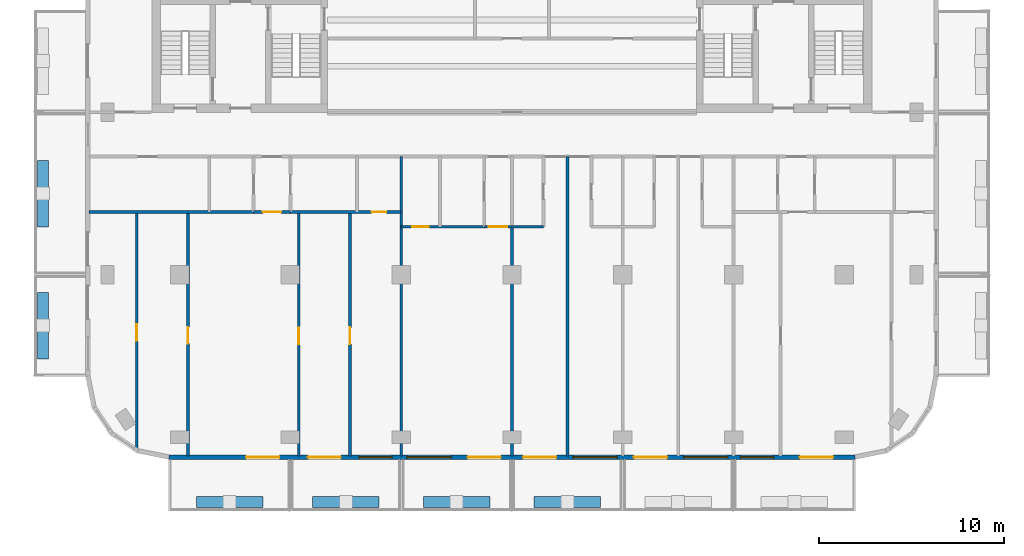
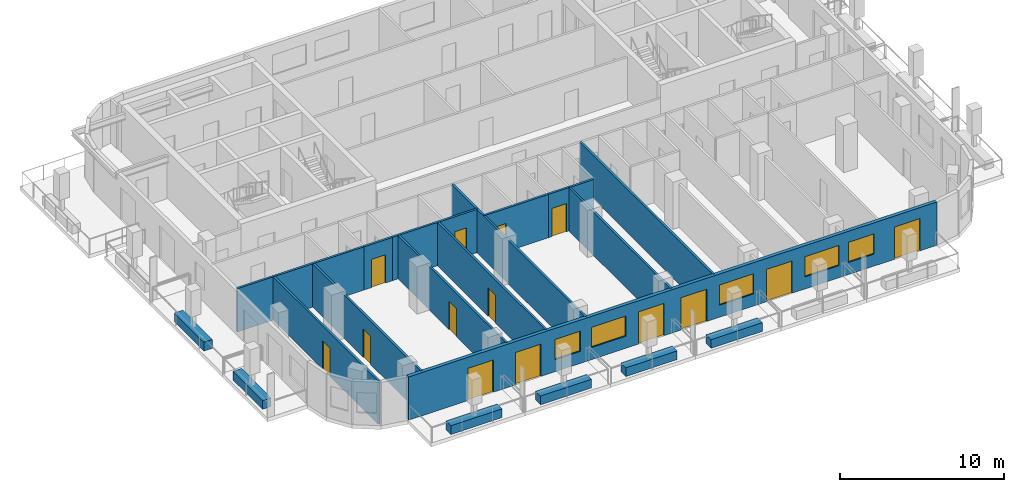
# One storey, part 2 of 11: 20 walls, 14 doors, 5 windows, 19 openings.
"""IFC4 building model written with IfcOpenShell, lengths in metres."""

from ifc_helpers import new_model, si_unit, direction, frame, frame_2d, origin, place, context, subcontext, project, spatial, rectangle, extrude, material, layer, layer_set, type_object, element, fill, save


model = new_model("IFC4")

# Units and contexts
model_context = context("Model", 3, precision=1e-05, world=origin(), true_north=direction((0.0, 1.0)))
body_context = subcontext(model_context, "Body", "Model", "MODEL_VIEW")
ifc_project = project(units=[si_unit("LENGTHUNIT", "METRE"), si_unit("AREAUNIT", "SQUARE_METRE"), si_unit("VOLUMEUNIT", "CUBIC_METRE"), si_unit("PLANEANGLEUNIT", "RADIAN"), si_unit("MASSUNIT", "GRAM", prefix="KILO")], contexts=[model_context])

# Site, building, storey
site_placement = place(None, origin())
site = spatial("IfcSite", under=ifc_project, at=site_placement, CompositionType="ELEMENT")
building_placement = place(site_placement, origin())
building = spatial("IfcBuilding", under=site, at=building_placement, Name="Torana Hotel and Residences", CompositionType="ELEMENT")
storey_placement = place(building_placement, frame((0.0, 0.0, 280.60009765625)))
storey = spatial("IfcBuildingStorey", under=building, at=storey_placement, Name="L74", CompositionType="ELEMENT", Elevation=280.60009765625)

# Wall, openings, doors, windows
ifc_material_1 = material(Name="Black aluminium composite panel", Category="aluminium")
ifc_layer_1 = layer(ifc_material_1, 0.00390625, Name="Cladding", Category="cladding")
ifc_material_2 = material(Name="Ventilated air cavity")
ifc_layer_2 = layer(ifc_material_2, 0.0400390625, Name="Ventilated cavity", Category="cavity")
ifc_material_3 = material(Name="Mineral wool insulation")
ifc_layer_3 = layer(ifc_material_3, 0.090087890625, Name="Insulation", Category="insulation")
ifc_material_4 = material(Name="Steel S280GD", Category="steel")
ifc_layer_4 = layer(ifc_material_4, 0.092041015625, Name="Steel stud frame", Category="structure")
ifc_material_5 = material(Name="Fire rated plasterboard")
ifc_layer_5 = layer(ifc_material_5, 0.011962890625, Name="Inner board", Category="finish")
ifc_layer_6 = layer(ifc_material_5, 0.011962890625, Name="Second board", Category="finish")
ifc_layer_set_1 = layer_set([ifc_layer_1, ifc_layer_2, ifc_layer_3, ifc_layer_4, ifc_layer_5, ifc_layer_6], Name="EW1 EXTERNAL WALL BLACK METAL CLAD 250")
wall_type_1 = type_object("IfcWallType", Name="EW1 EXTERNAL WALL BLACK METAL CLAD 250", PredefinedType="SOLIDWALL", material=ifc_layer_set_1)
wall_1_placement = place(storey_placement, frame((-18.575439453125, -33.675048828125, 0.0), z_axis=(0.0, 0.0, 1.0), x_axis=(1.0, 0.0, 0.0)))
wall_1 = element("IfcWall", 1, at=wall_1_placement, inside=storey, type_object=wall_type_1, Name="External wall L74 e0.14", PredefinedType="SOLIDWALL", context=body_context, shape_type="SweptSolid", body=[
    extrude(rectangle(XDim=37.15087890625, YDim=0.25, at=frame_2d((18.575439453125, 0.0))), origin(), (0.0, 0.0, 1.0), 3.219970703125),
])
opening_1_placement = place(wall_1_placement, frame((4.17529296875, 0.0, 0.0)))
opening_1 = element("IfcOpeningElement", 2, at=opening_1_placement, cuts=wall_1, Name="Opening L74-E01", PredefinedType="OPENING", context=body_context, shape_type="SweptSolid", body=[
    extrude(rectangle(XDim=1.800048828125, YDim=2.39990234375, at=frame_2d((0.89990234375, 1.199951171875))), frame((0.0, 0.135009765625, 0.0), z_axis=(0.0, -1.0, 0.0), x_axis=(1.0, 0.0, 0.0)), (0.0, 0.0, 1.0), 0.27001953125),
])
opening_2_placement = place(wall_1_placement, frame((7.512451171875, 0.0, 0.0)))
opening_2 = element("IfcOpeningElement", 3, at=opening_2_placement, cuts=wall_1, Name="Opening L74-E02", PredefinedType="OPENING", context=body_context, shape_type="SweptSolid", body=[
    extrude(rectangle(XDim=1.800048828125, YDim=2.39990234375, at=frame_2d((0.89990234375, 1.199951171875))), frame((0.0, 0.135009765625, 0.0), z_axis=(0.0, -1.0, 0.0), x_axis=(1.0, 0.0, 0.0)), (0.0, 0.0, 1.0), 0.27001953125),
])
opening_3_placement = place(wall_1_placement, frame((10.287353515625, 0.0, 0.89990234375)))
opening_3 = element("IfcOpeningElement", 4, at=opening_3_placement, cuts=wall_1, Name="Opening W4", PredefinedType="OPENING", context=body_context, shape_type="SweptSolid", body=[
    extrude(rectangle(XDim=1.800048828125, YDim=1.5, at=frame_2d((0.89990234375, 0.75))), frame((0.0, 0.135009765625, 0.0), z_axis=(0.0, -1.0, 0.0), x_axis=(1.0, 0.0, 0.0)), (0.0, 0.0, 1.0), 0.27001953125),
])
opening_4_placement = place(wall_1_placement, frame((12.87548828125, 0.0, 0.89990234375)))
opening_4 = element("IfcOpeningElement", 5, at=opening_4_placement, cuts=wall_1, Name="Opening W3", PredefinedType="OPENING", context=body_context, shape_type="SweptSolid", body=[
    extrude(rectangle(XDim=2.39990234375, YDim=1.5, at=frame_2d((1.199951171875, 0.75))), frame((0.0, 0.135009765625, 0.0), z_axis=(0.0, -1.0, 0.0), x_axis=(1.0, 0.0, 0.0)), (0.0, 0.0, 1.0), 0.27001953125),
])
opening_5_placement = place(wall_1_placement, frame((16.17529296875, 0.0, 0.0)))
opening_5 = element("IfcOpeningElement", 6, at=opening_5_placement, cuts=wall_1, Name="Opening L74-E03", PredefinedType="OPENING", context=body_context, shape_type="SweptSolid", body=[
    extrude(rectangle(XDim=1.800048828125, YDim=2.39990234375, at=frame_2d((0.89990234375, 1.199951171875))), frame((0.0, 0.135009765625, 0.0), z_axis=(0.0, -1.0, 0.0), x_axis=(1.0, 0.0, 0.0)), (0.0, 0.0, 1.0), 0.27001953125),
])
opening_6_placement = place(wall_1_placement, frame((19.17529296875, 0.0, 0.0)))
opening_6 = element("IfcOpeningElement", 7, at=opening_6_placement, cuts=wall_1, Name="Opening L74-E04", PredefinedType="OPENING", context=body_context, shape_type="SweptSolid", body=[
    extrude(rectangle(XDim=1.800048828125, YDim=2.39990234375, at=frame_2d((0.89990234375, 1.199951171875))), frame((0.0, 0.135009765625, 0.0), z_axis=(0.0, -1.0, 0.0), x_axis=(1.0, 0.0, 0.0)), (0.0, 0.0, 1.0), 0.27001953125),
])
opening_7_placement = place(wall_1_placement, frame((21.87548828125, 0.0, 0.89990234375)))
opening_7 = element("IfcOpeningElement", 8, at=opening_7_placement, cuts=wall_1, Name="Opening W3", PredefinedType="OPENING", context=body_context, shape_type="SweptSolid", body=[
    extrude(rectangle(XDim=2.39990234375, YDim=1.5, at=frame_2d((1.199951171875, 0.75))), frame((0.0, 0.135009765625, 0.0), z_axis=(0.0, -1.0, 0.0), x_axis=(1.0, 0.0, 0.0)), (0.0, 0.0, 1.0), 0.27001953125),
])
opening_8_placement = place(wall_1_placement, frame((25.17529296875, 0.0, 0.0)))
opening_8 = element("IfcOpeningElement", 9, at=opening_8_placement, cuts=wall_1, Name="Opening L74-E05", PredefinedType="OPENING", context=body_context, shape_type="SweptSolid", body=[
    extrude(rectangle(XDim=1.800048828125, YDim=2.39990234375, at=frame_2d((0.89990234375, 1.199951171875))), frame((0.0, 0.135009765625, 0.0), z_axis=(0.0, -1.0, 0.0), x_axis=(1.0, 0.0, 0.0)), (0.0, 0.0, 1.0), 0.27001953125),
])
opening_9_placement = place(wall_1_placement, frame((27.87548828125, 0.0, 0.89990234375)))
opening_9 = element("IfcOpeningElement", 10, at=opening_9_placement, cuts=wall_1, Name="Opening W3", PredefinedType="OPENING", context=body_context, shape_type="SweptSolid", body=[
    extrude(rectangle(XDim=2.39990234375, YDim=1.5, at=frame_2d((1.199951171875, 0.75))), frame((0.0, 0.135009765625, 0.0), z_axis=(0.0, -1.0, 0.0), x_axis=(1.0, 0.0, 0.0)), (0.0, 0.0, 1.0), 0.27001953125),
])
opening_10_placement = place(wall_1_placement, frame((30.950439453125, 0.0, 0.89990234375)))
opening_10 = element("IfcOpeningElement", 11, at=opening_10_placement, cuts=wall_1, Name="Opening W4", PredefinedType="OPENING", context=body_context, shape_type="SweptSolid", body=[
    extrude(rectangle(XDim=1.800048828125, YDim=1.5, at=frame_2d((0.89990234375, 0.75))), frame((0.0, 0.135009765625, 0.0), z_axis=(0.0, -1.0, 0.0), x_axis=(1.0, 0.0, 0.0)), (0.0, 0.0, 1.0), 0.27001953125),
])
opening_11_placement = place(wall_1_placement, frame((34.17529296875, 0.0, 0.0)))
opening_11 = element("IfcOpeningElement", 12, at=opening_11_placement, cuts=wall_1, Name="Opening L74-E06", PredefinedType="OPENING", context=body_context, shape_type="SweptSolid", body=[
    extrude(rectangle(XDim=1.800048828125, YDim=2.39990234375, at=frame_2d((0.89990234375, 1.199951171875))), frame((0.0, 0.135009765625, 0.0), z_axis=(0.0, -1.0, 0.0), x_axis=(1.0, 0.0, 0.0)), (0.0, 0.0, 1.0), 0.27001953125),
])
ifc_material_6 = material(Name="Dark glass in black aluminium frame", Category="aluminium")
door_type_1 = type_object("IfcDoorType", Name="DB1 BALCONY DOOR 1800x2400", OperationType="DOUBLE_DOOR_SINGLE_SWING", PredefinedType="DOOR", material=ifc_material_6)
door_1_placement = place(opening_1_placement, origin())
door_1 = element("IfcDoor", 13, at=door_1_placement, inside=storey, type_object=door_type_1, Name="Balcony door L74", OperationType="DOUBLE_DOOR_SINGLE_SWING", OverallHeight=2.39990234375, OverallWidth=1.800048828125, PredefinedType="DOOR", context=body_context, shape_type="SweptSolid", body=[
    extrude(rectangle(XDim=1.800048828125, YDim=2.39990234375, at=frame_2d((0.89990234375, 1.199951171875))), frame((0.0, 0.02490234375, 0.0), z_axis=(0.0, -1.0, 0.0), x_axis=(1.0, 0.0, 0.0)), (0.0, 0.0, 1.0), 0.050048828125),
])
fill(opening_1, door_1)
door_2_placement = place(opening_2_placement, origin())
door_2 = element("IfcDoor", 14, at=door_2_placement, inside=storey, type_object=door_type_1, Name="Balcony door L74", OperationType="DOUBLE_DOOR_SINGLE_SWING", OverallHeight=2.39990234375, OverallWidth=1.800048828125, PredefinedType="DOOR", context=body_context, shape_type="SweptSolid", body=[
    extrude(rectangle(XDim=1.800048828125, YDim=2.39990234375, at=frame_2d((0.89990234375, 1.199951171875))), frame((0.0, 0.02490234375, 0.0), z_axis=(0.0, -1.0, 0.0), x_axis=(1.0, 0.0, 0.0)), (0.0, 0.0, 1.0), 0.050048828125),
])
fill(opening_2, door_2)
door_3_placement = place(opening_5_placement, origin())
door_3 = element("IfcDoor", 15, at=door_3_placement, inside=storey, type_object=door_type_1, Name="Balcony door L74", OperationType="DOUBLE_DOOR_SINGLE_SWING", OverallHeight=2.39990234375, OverallWidth=1.800048828125, PredefinedType="DOOR", context=body_context, shape_type="SweptSolid", body=[
    extrude(rectangle(XDim=1.800048828125, YDim=2.39990234375, at=frame_2d((0.89990234375, 1.199951171875))), frame((0.0, 0.02490234375, 0.0), z_axis=(0.0, -1.0, 0.0), x_axis=(1.0, 0.0, 0.0)), (0.0, 0.0, 1.0), 0.050048828125),
])
fill(opening_5, door_3)
door_4_placement = place(opening_6_placement, origin())
door_4 = element("IfcDoor", 16, at=door_4_placement, inside=storey, type_object=door_type_1, Name="Balcony door L74", OperationType="DOUBLE_DOOR_SINGLE_SWING", OverallHeight=2.39990234375, OverallWidth=1.800048828125, PredefinedType="DOOR", context=body_context, shape_type="SweptSolid", body=[
    extrude(rectangle(XDim=1.800048828125, YDim=2.39990234375, at=frame_2d((0.89990234375, 1.199951171875))), frame((0.0, 0.02490234375, 0.0), z_axis=(0.0, -1.0, 0.0), x_axis=(1.0, 0.0, 0.0)), (0.0, 0.0, 1.0), 0.050048828125),
])
fill(opening_6, door_4)
door_5_placement = place(opening_8_placement, origin())
door_5 = element("IfcDoor", 17, at=door_5_placement, inside=storey, type_object=door_type_1, Name="Balcony door L74", OperationType="DOUBLE_DOOR_SINGLE_SWING", OverallHeight=2.39990234375, OverallWidth=1.800048828125, PredefinedType="DOOR", context=body_context, shape_type="SweptSolid", body=[
    extrude(rectangle(XDim=1.800048828125, YDim=2.39990234375, at=frame_2d((0.89990234375, 1.199951171875))), frame((0.0, 0.02490234375, 0.0), z_axis=(0.0, -1.0, 0.0), x_axis=(1.0, 0.0, 0.0)), (0.0, 0.0, 1.0), 0.050048828125),
])
fill(opening_8, door_5)
door_6_placement = place(opening_11_placement, origin())
door_6 = element("IfcDoor", 18, at=door_6_placement, inside=storey, type_object=door_type_1, Name="Balcony door L74", OperationType="DOUBLE_DOOR_SINGLE_SWING", OverallHeight=2.39990234375, OverallWidth=1.800048828125, PredefinedType="DOOR", context=body_context, shape_type="SweptSolid", body=[
    extrude(rectangle(XDim=1.800048828125, YDim=2.39990234375, at=frame_2d((0.89990234375, 1.199951171875))), frame((0.0, 0.02490234375, 0.0), z_axis=(0.0, -1.0, 0.0), x_axis=(1.0, 0.0, 0.0)), (0.0, 0.0, 1.0), 0.050048828125),
])
fill(opening_11, door_6)
ifc_material_7 = material(Name="Dark glass in black aluminium frame", Category="aluminium")
window_type_1 = type_object("IfcWindowType", Name="W3 RESIDENCE WINDOW 2400x1500", PartitioningType="SINGLE_PANEL", PredefinedType="WINDOW", material=ifc_material_7)
window_1_placement = place(opening_4_placement, origin())
window_1 = element("IfcWindow", 19, at=window_1_placement, inside=storey, type_object=window_type_1, Name="Window L74", OverallHeight=1.5, OverallWidth=2.39990234375, PartitioningType="SINGLE_PANEL", PredefinedType="WINDOW", context=body_context, shape_type="SweptSolid", body=[
    extrude(rectangle(XDim=2.39990234375, YDim=1.5, at=frame_2d((1.199951171875, 0.75))), frame((0.0, 0.030029296875, 0.0), z_axis=(0.0, -1.0, 0.0), x_axis=(1.0, 0.0, 0.0)), (0.0, 0.0, 1.0), 0.06005859375),
])
fill(opening_4, window_1)
window_2_placement = place(opening_7_placement, origin())
window_2 = element("IfcWindow", 20, at=window_2_placement, inside=storey, type_object=window_type_1, Name="Window L74", OverallHeight=1.5, OverallWidth=2.39990234375, PartitioningType="SINGLE_PANEL", PredefinedType="WINDOW", context=body_context, shape_type="SweptSolid", body=[
    extrude(rectangle(XDim=2.39990234375, YDim=1.5, at=frame_2d((1.199951171875, 0.75))), frame((0.0, 0.030029296875, 0.0), z_axis=(0.0, -1.0, 0.0), x_axis=(1.0, 0.0, 0.0)), (0.0, 0.0, 1.0), 0.06005859375),
])
fill(opening_7, window_2)
window_3_placement = place(opening_9_placement, origin())
window_3 = element("IfcWindow", 21, at=window_3_placement, inside=storey, type_object=window_type_1, Name="Window L74", OverallHeight=1.5, OverallWidth=2.39990234375, PartitioningType="SINGLE_PANEL", PredefinedType="WINDOW", context=body_context, shape_type="SweptSolid", body=[
    extrude(rectangle(XDim=2.39990234375, YDim=1.5, at=frame_2d((1.199951171875, 0.75))), frame((0.0, 0.030029296875, 0.0), z_axis=(0.0, -1.0, 0.0), x_axis=(1.0, 0.0, 0.0)), (0.0, 0.0, 1.0), 0.06005859375),
])
fill(opening_9, window_3)
ifc_material_8 = material(Name="Dark glass in black aluminium frame", Category="aluminium")
window_type_2 = type_object("IfcWindowType", Name="W4 RESIDENCE WINDOW NARROW 1800x1500", PartitioningType="SINGLE_PANEL", PredefinedType="WINDOW", material=ifc_material_8)
window_4_placement = place(opening_3_placement, origin())
window_4 = element("IfcWindow", 22, at=window_4_placement, inside=storey, type_object=window_type_2, Name="Window L74", OverallHeight=1.5, OverallWidth=1.800048828125, PartitioningType="SINGLE_PANEL", PredefinedType="WINDOW", context=body_context, shape_type="SweptSolid", body=[
    extrude(rectangle(XDim=1.800048828125, YDim=1.5, at=frame_2d((0.89990234375, 0.75))), frame((0.0, 0.030029296875, 0.0), z_axis=(0.0, -1.0, 0.0), x_axis=(1.0, 0.0, 0.0)), (0.0, 0.0, 1.0), 0.06005859375),
])
fill(opening_3, window_4)
window_5_placement = place(opening_10_placement, origin())
window_5 = element("IfcWindow", 23, at=window_5_placement, inside=storey, type_object=window_type_2, Name="Window L74", OverallHeight=1.5, OverallWidth=1.800048828125, PartitioningType="SINGLE_PANEL", PredefinedType="WINDOW", context=body_context, shape_type="SweptSolid", body=[
    extrude(rectangle(XDim=1.800048828125, YDim=1.5, at=frame_2d((0.89990234375, 0.75))), frame((0.0, 0.030029296875, 0.0), z_axis=(0.0, -1.0, 0.0), x_axis=(1.0, 0.0, 0.0)), (0.0, 0.0, 1.0), 0.06005859375),
])
fill(opening_10, window_5)

# Wall, opening, door
ifc_material_9 = material(Name="Gypsum plaster")
ifc_layer_7 = layer(ifc_material_9, 0.014892578125, Name="Plaster", Category="finish")
ifc_material_10 = material(Name="Concrete blockwork", Category="masonry")
ifc_layer_8 = layer(ifc_material_10, 0.1201171875, Name="Blockwork", Category="structure")
ifc_layer_9 = layer(ifc_material_9, 0.014892578125, Name="Plaster", Category="finish")
ifc_layer_set_2 = layer_set([ifc_layer_7, ifc_layer_8, ifc_layer_9], Name="FIRE PARTITION 150 BLOCKWORK")
wall_type_2 = type_object("IfcWallType", Name="FIRE PARTITION 150 BLOCKWORK", PredefinedType="PARTITIONING", material=ifc_layer_set_2)
wall_2_placement = place(storey_placement, frame((-1.5, -21.199951171875, 0.0), z_axis=(0.0, 0.0, 1.0), x_axis=(1.0, 0.0, 0.0)))
wall_2 = element("IfcWall", 24, at=wall_2_placement, inside=storey, type_object=wall_type_2, Name="Partition L74", PredefinedType="PARTITIONING", context=body_context, shape_type="SweptSolid", body=[
    extrude(rectangle(XDim=1.5, YDim=0.14990234375, at=frame_2d((0.75, 0.0))), origin(), (0.0, 0.0, 1.0), 3.219970703125),
])
opening_12_placement = place(wall_2_placement, frame((0.25, 0.0, 0.0)))
opening_12 = element("IfcOpeningElement", 25, at=opening_12_placement, cuts=wall_2, Name="Opening L74-38", PredefinedType="OPENING", context=body_context, shape_type="SweptSolid", body=[
    extrude(rectangle(XDim=1.0, YDim=2.10009765625, at=frame_2d((0.5, 1.050048828125))), frame((0.0, 0.0849609375, 0.0), z_axis=(0.0, -1.0, 0.0), x_axis=(1.0, 0.0, 0.0)), (0.0, 0.0, 1.0), 0.169921875),
])
ifc_material_11 = material(Name="Steel S235", Category="steel")
door_type_2 = type_object("IfcDoorType", Name="ENTRY FIRE DOOR D6 1000x2100", OperationType="SINGLE_SWING_LEFT", PredefinedType="DOOR", material=ifc_material_11)
door_7_placement = place(opening_12_placement, frame((0.5, 0.0, 0.0), z_axis=(0.0, 0.0, 1.0), x_axis=(-1.0, 0.0, 0.0)))
door_7 = element("IfcDoor", 26, at=door_7_placement, inside=storey, type_object=door_type_2, Name="Door L74", OperationType="SINGLE_SWING_RIGHT", OverallHeight=2.10009765625, OverallWidth=1.0, PredefinedType="DOOR", context=body_context, shape_type="SweptSolid", body=[
    extrude(rectangle(XDim=1.0, YDim=2.10009765625, at=frame_2d((0.0, 1.050048828125))), frame((0.0, -0.02490234375, 0.0), z_axis=(0.0, 1.0, 0.0), x_axis=(-1.0, 0.0, 0.0)), (0.0, 0.0, 1.0), 0.050048828125),
])
fill(opening_12, door_7)

wall_3_placement = place(storey_placement, frame((-14.0, -20.39990234375, 0.0), z_axis=(0.0, 0.0, 1.0), x_axis=(1.0, 0.0, 0.0)))
wall_3 = element("IfcWall", 27, at=wall_3_placement, inside=storey, type_object=wall_type_2, Name="Partition L74", PredefinedType="PARTITIONING", context=body_context, shape_type="SweptSolid", body=[
    extrude(rectangle(XDim=2.0, YDim=0.14990234375, at=frame_2d((1.0, 0.0))), origin(), (0.0, 0.0, 1.0), 3.219970703125),
])
opening_13_placement = place(wall_3_placement, frame((0.5, 0.0, 0.0)))
opening_13 = element("IfcOpeningElement", 28, at=opening_13_placement, cuts=wall_3, Name="Opening L74-46", PredefinedType="OPENING", context=body_context, shape_type="SweptSolid", body=[
    extrude(rectangle(XDim=1.0, YDim=2.10009765625, at=frame_2d((0.5, 1.050048828125))), frame((0.0, 0.0849609375, 0.0), z_axis=(0.0, -1.0, 0.0), x_axis=(1.0, 0.0, 0.0)), (0.0, 0.0, 1.0), 0.169921875),
])
door_8_placement = place(opening_13_placement, frame((0.5, 0.0, 0.0), z_axis=(0.0, 0.0, 1.0), x_axis=(-1.0, 0.0, 0.0)))
door_8 = element("IfcDoor", 29, at=door_8_placement, inside=storey, type_object=door_type_2, Name="Door L74", OperationType="SINGLE_SWING_RIGHT", OverallHeight=2.10009765625, OverallWidth=1.0, PredefinedType="DOOR", context=body_context, shape_type="SweptSolid", body=[
    extrude(rectangle(XDim=1.0, YDim=2.10009765625, at=frame_2d((0.0, 1.050048828125))), frame((0.0, -0.02490234375, 0.0), z_axis=(0.0, 1.0, 0.0), x_axis=(-1.0, 0.0, 0.0)), (0.0, 0.0, 1.0), 0.050048828125),
])
fill(opening_13, door_8)

# Walls
ifc_material_12 = material(Name="Gypsum plasterboard")
ifc_layer_10 = layer(ifc_material_12, 0.012451171875, Name="Plasterboard", Category="finish")
ifc_layer_11 = layer(ifc_material_12, 0.012451171875, Name="Plasterboard", Category="finish")
ifc_layer_12 = layer(ifc_material_4, 0.10009765625, Name="Steel studs with mineral wool", Category="insulation")
ifc_layer_13 = layer(ifc_material_12, 0.012451171875, Name="Plasterboard", Category="finish")
ifc_layer_14 = layer(ifc_material_12, 0.012451171875, Name="Plasterboard", Category="finish")
ifc_layer_set_3 = layer_set([ifc_layer_10, ifc_layer_11, ifc_layer_12, ifc_layer_13, ifc_layer_14], Name="PARTITION 150 PLASTERBOARD")
wall_type_3 = type_object("IfcWallType", Name="PARTITION 150 PLASTERBOARD", PredefinedType="PARTITIONING", material=ifc_layer_set_3)
wall_4_placement = place(storey_placement, frame((3.0, -33.6201171875, 0.0), z_axis=(0.0, 0.0, 1.0), x_axis=(0.0, 1.0, 0.0)))
element("IfcWall", 30, at=wall_4_placement, inside=storey, type_object=wall_type_3, Name="Partition L74", PredefinedType="PARTITIONING", context=body_context, shape_type="SweptSolid", body=[
    extrude(rectangle(XDim=16.22021484375, YDim=0.14990234375, at=frame_2d((8.110107421875, 0.0))), origin(), (0.0, 0.0, 1.0), 3.219970703125),
])
wall_5_placement = place(storey_placement, frame((0.0, -33.6201171875, 0.0), z_axis=(0.0, 0.0, 1.0), x_axis=(0.0, 1.0, 0.0)))
element("IfcWall", 31, at=wall_5_placement, inside=storey, type_object=wall_type_3, Name="Partition L74", PredefinedType="PARTITIONING", context=body_context, shape_type="SweptSolid", body=[
    extrude(rectangle(XDim=12.420166015625, YDim=0.14990234375, at=frame_2d((6.2099609375, 0.0))), origin(), (0.0, 0.0, 1.0), 3.219970703125),
])
wall_6_placement = place(storey_placement, frame((-6.0, -33.6201171875, 0.0), z_axis=(0.0, 0.0, 1.0), x_axis=(0.0, 1.0, 0.0)))
element("IfcWall", 32, at=wall_6_placement, inside=storey, type_object=wall_type_3, Name="Partition L74", PredefinedType="PARTITIONING", context=body_context, shape_type="SweptSolid", body=[
    extrude(rectangle(XDim=16.22021484375, YDim=0.14990234375, at=frame_2d((8.110107421875, 0.0))), origin(), (0.0, 0.0, 1.0), 3.219970703125),
])

# Wall, opening, door
wall_7_placement = place(storey_placement, frame((-8.77490234375, -33.6201171875, 0.0), z_axis=(0.0, 0.0, 1.0), x_axis=(0.0, 1.0, 0.0)))
wall_7 = element("IfcWall", 33, at=wall_7_placement, inside=storey, type_object=wall_type_3, Name="Partition L74", PredefinedType="PARTITIONING", context=body_context, shape_type="SweptSolid", body=[
    extrude(rectangle(XDim=13.22021484375, YDim=0.14990234375, at=frame_2d((6.610107421875, 0.0))), origin(), (0.0, 0.0, 1.0), 3.219970703125),
])
opening_14_placement = place(wall_7_placement, frame((6.070068359375, 0.0, 0.0)))
opening_14 = element("IfcOpeningElement", 34, at=opening_14_placement, cuts=wall_7, Name="Opening L74-49", PredefinedType="OPENING", context=body_context, shape_type="SweptSolid", body=[
    extrude(rectangle(XDim=0.89990234375, YDim=2.10009765625, at=frame_2d((0.449951171875, 1.050048828125))), frame((0.0, 0.0849609375, 0.0), z_axis=(0.0, -1.0, 0.0), x_axis=(1.0, 0.0, 0.0)), (0.0, 0.0, 1.0), 0.169921875),
])
ifc_material_13 = material(Name="Timber door, oiled ash", Category="wood")
door_type_3 = type_object("IfcDoorType", Name="ROOM DOOR D7 900x2100", OperationType="SINGLE_SWING_LEFT", PredefinedType="DOOR", material=ifc_material_13)
door_9_placement = place(opening_14_placement, origin())
door_9 = element("IfcDoor", 35, at=door_9_placement, inside=storey, type_object=door_type_3, Name="Door L74", OperationType="SINGLE_SWING_RIGHT", OverallHeight=2.10009765625, OverallWidth=0.89990234375, PredefinedType="DOOR", context=body_context, shape_type="SweptSolid", body=[
    extrude(rectangle(XDim=0.89990234375, YDim=2.10009765625, at=frame_2d((0.449951171875, 1.050048828125))), frame((0.0, 0.02490234375, 0.0), z_axis=(0.0, -1.0, 0.0), x_axis=(1.0, 0.0, 0.0)), (0.0, 0.0, 1.0), 0.050048828125),
])
fill(opening_14, door_9)

wall_8_placement = place(storey_placement, frame((-11.550048828125, -33.6201171875, 0.0), z_axis=(0.0, 0.0, 1.0), x_axis=(0.0, 1.0, 0.0)))
wall_8 = element("IfcWall", 36, at=wall_8_placement, inside=storey, type_object=wall_type_3, Name="Partition L74", PredefinedType="PARTITIONING", context=body_context, shape_type="SweptSolid", body=[
    extrude(rectangle(XDim=13.22021484375, YDim=0.14990234375, at=frame_2d((6.610107421875, 0.0))), origin(), (0.0, 0.0, 1.0), 3.219970703125),
])
opening_15_placement = place(wall_8_placement, frame((6.050048828125, 0.0, 0.0)))
opening_15 = element("IfcOpeningElement", 37, at=opening_15_placement, cuts=wall_8, Name="Opening L74-47", PredefinedType="OPENING", context=body_context, shape_type="SweptSolid", body=[
    extrude(rectangle(XDim=0.89990234375, YDim=2.10009765625, at=frame_2d((0.449951171875, 1.050048828125))), frame((0.0, 0.0849609375, 0.0), z_axis=(0.0, -1.0, 0.0), x_axis=(1.0, 0.0, 0.0)), (0.0, 0.0, 1.0), 0.169921875),
])
door_10_placement = place(opening_15_placement, origin())
door_10 = element("IfcDoor", 38, at=door_10_placement, inside=storey, type_object=door_type_3, Name="Door L74", OperationType="SINGLE_SWING_RIGHT", OverallHeight=2.10009765625, OverallWidth=0.89990234375, PredefinedType="DOOR", context=body_context, shape_type="SweptSolid", body=[
    extrude(rectangle(XDim=0.89990234375, YDim=2.10009765625, at=frame_2d((0.449951171875, 1.050048828125))), frame((0.0, 0.02490234375, 0.0), z_axis=(0.0, -1.0, 0.0), x_axis=(1.0, 0.0, 0.0)), (0.0, 0.0, 1.0), 0.050048828125),
])
fill(opening_15, door_10)

wall_9_placement = place(storey_placement, frame((-17.550048828125, -33.6201171875, 0.0), z_axis=(0.0, 0.0, 1.0), x_axis=(0.0, 1.0, 0.0)))
wall_9 = element("IfcWall", 39, at=wall_9_placement, inside=storey, type_object=wall_type_3, Name="Partition L74", PredefinedType="PARTITIONING", context=body_context, shape_type="SweptSolid", body=[
    extrude(rectangle(XDim=13.22021484375, YDim=0.14990234375, at=frame_2d((6.610107421875, 0.0))), origin(), (0.0, 0.0, 1.0), 3.219970703125),
])
opening_16_placement = place(wall_9_placement, frame((6.090087890625, 0.0, 0.0)))
opening_16 = element("IfcOpeningElement", 40, at=opening_16_placement, cuts=wall_9, Name="Opening L74-48", PredefinedType="OPENING", context=body_context, shape_type="SweptSolid", body=[
    extrude(rectangle(XDim=0.89990234375, YDim=2.10009765625, at=frame_2d((0.449951171875, 1.050048828125))), frame((0.0, 0.0849609375, 0.0), z_axis=(0.0, -1.0, 0.0), x_axis=(1.0, 0.0, 0.0)), (0.0, 0.0, 1.0), 0.169921875),
])
door_11_placement = place(opening_16_placement, origin())
door_11 = element("IfcDoor", 41, at=door_11_placement, inside=storey, type_object=door_type_3, Name="Door L74", OperationType="SINGLE_SWING_RIGHT", OverallHeight=2.10009765625, OverallWidth=0.89990234375, PredefinedType="DOOR", context=body_context, shape_type="SweptSolid", body=[
    extrude(rectangle(XDim=0.89990234375, YDim=2.10009765625, at=frame_2d((0.449951171875, 1.050048828125))), frame((0.0, 0.02490234375, 0.0), z_axis=(0.0, -1.0, 0.0), x_axis=(1.0, 0.0, 0.0)), (0.0, 0.0, 1.0), 0.050048828125),
])
fill(opening_16, door_11)

wall_10_placement = place(storey_placement, frame((-20.324951171875, -33.239013671875, 0.0), z_axis=(0.0, 0.0, 1.0), x_axis=(0.0, 1.0, 0.0)))
wall_10 = element("IfcWall", 42, at=wall_10_placement, inside=storey, type_object=wall_type_3, Name="Partition L74", PredefinedType="PARTITIONING", context=body_context, shape_type="SweptSolid", body=[
    extrude(rectangle(XDim=12.839111328125, YDim=0.14990234375, at=frame_2d((6.41943359375, 0.0))), origin(), (0.0, 0.0, 1.0), 3.219970703125),
])
opening_17_placement = place(wall_10_placement, frame((5.85302734375, 0.0, 0.0)))
opening_17 = element("IfcOpeningElement", 43, at=opening_17_placement, cuts=wall_10, Name="Opening L74-50", PredefinedType="OPENING", context=body_context, shape_type="SweptSolid", body=[
    extrude(rectangle(XDim=0.89990234375, YDim=2.10009765625, at=frame_2d((0.449951171875, 1.050048828125))), frame((0.0, 0.0849609375, 0.0), z_axis=(0.0, -1.0, 0.0), x_axis=(1.0, 0.0, 0.0)), (0.0, 0.0, 1.0), 0.169921875),
])
door_12_placement = place(opening_17_placement, origin())
door_12 = element("IfcDoor", 44, at=door_12_placement, inside=storey, type_object=door_type_3, Name="Door L74", OperationType="SINGLE_SWING_RIGHT", OverallHeight=2.10009765625, OverallWidth=0.89990234375, PredefinedType="DOOR", context=body_context, shape_type="SweptSolid", body=[
    extrude(rectangle(XDim=0.89990234375, YDim=2.10009765625, at=frame_2d((0.449951171875, 1.050048828125))), frame((0.0, 0.02490234375, 0.0), z_axis=(0.0, -1.0, 0.0), x_axis=(1.0, 0.0, 0.0)), (0.0, 0.0, 1.0), 0.050048828125),
])
fill(opening_17, door_12)

wall_11_placement = place(storey_placement, frame((-6.0, -21.199951171875, 0.0), z_axis=(0.0, 0.0, 1.0), x_axis=(1.0, 0.0, 0.0)))
wall_11 = element("IfcWall", 45, at=wall_11_placement, inside=storey, type_object=wall_type_3, Name="Partition L74", PredefinedType="PARTITIONING", context=body_context, shape_type="SweptSolid", body=[
    extrude(rectangle(XDim=4.5, YDim=0.14990234375, at=frame_2d((2.25, 0.0))), origin(), (0.0, 0.0, 1.0), 3.219970703125),
])
opening_18_placement = place(wall_11_placement, frame((0.60009765625, 0.0, 0.0)))
opening_18 = element("IfcOpeningElement", 46, at=opening_18_placement, cuts=wall_11, Name="Opening L74-36", PredefinedType="OPENING", context=body_context, shape_type="SweptSolid", body=[
    extrude(rectangle(XDim=0.89990234375, YDim=2.10009765625, at=frame_2d((0.449951171875, 1.050048828125))), frame((0.0, 0.0849609375, 0.0), z_axis=(0.0, -1.0, 0.0), x_axis=(1.0, 0.0, 0.0)), (0.0, 0.0, 1.0), 0.169921875),
])
door_13_placement = place(opening_18_placement, origin())
door_13 = element("IfcDoor", 47, at=door_13_placement, inside=storey, type_object=door_type_3, Name="Door L74", OperationType="SINGLE_SWING_RIGHT", OverallHeight=2.10009765625, OverallWidth=0.89990234375, PredefinedType="DOOR", context=body_context, shape_type="SweptSolid", body=[
    extrude(rectangle(XDim=0.89990234375, YDim=2.10009765625, at=frame_2d((0.449951171875, 1.050048828125))), frame((0.0, 0.02490234375, 0.0), z_axis=(0.0, -1.0, 0.0), x_axis=(1.0, 0.0, 0.0)), (0.0, 0.0, 1.0), 0.050048828125),
])
fill(opening_18, door_13)

# Walls
wall_12_placement = place(storey_placement, frame((0.0, -21.199951171875, 0.0), z_axis=(0.0, 0.0, 1.0), x_axis=(1.0, 0.0, 0.0)))
element("IfcWall", 48, at=wall_12_placement, inside=storey, type_object=wall_type_3, Name="Partition L74", PredefinedType="PARTITIONING", context=body_context, shape_type="SweptSolid", body=[
    extrude(rectangle(XDim=1.699951171875, YDim=0.14990234375, at=frame_2d((0.85009765625, 0.0))), origin(), (0.0, 0.0, 1.0), 3.219970703125),
])
wall_13_placement = place(storey_placement, frame((-22.919921875, -20.39990234375, 0.0), z_axis=(0.0, 0.0, 1.0), x_axis=(1.0, 0.0, 0.0)))
element("IfcWall", 49, at=wall_13_placement, inside=storey, type_object=wall_type_3, Name="Partition L74", PredefinedType="PARTITIONING", context=body_context, shape_type="SweptSolid", body=[
    extrude(rectangle(XDim=8.919921875, YDim=0.14990234375, at=frame_2d((4.4599609375, 0.0))), origin(), (0.0, 0.0, 1.0), 3.219970703125),
])

# Wall, opening, door
wall_14_placement = place(storey_placement, frame((-12.0, -20.39990234375, 0.0), z_axis=(0.0, 0.0, 1.0), x_axis=(1.0, 0.0, 0.0)))
wall_14 = element("IfcWall", 50, at=wall_14_placement, inside=storey, type_object=wall_type_3, Name="Partition L74", PredefinedType="PARTITIONING", context=body_context, shape_type="SweptSolid", body=[
    extrude(rectangle(XDim=6.0, YDim=0.14990234375, at=frame_2d((3.0, 0.0))), origin(), (0.0, 0.0, 1.0), 3.219970703125),
])
opening_19_placement = place(wall_14_placement, frame((4.39990234375, 0.0, 0.0)))
opening_19 = element("IfcOpeningElement", 51, at=opening_19_placement, cuts=wall_14, Name="Opening L74-43", PredefinedType="OPENING", context=body_context, shape_type="SweptSolid", body=[
    extrude(rectangle(XDim=0.800048828125, YDim=2.10009765625, at=frame_2d((0.39990234375, 1.050048828125))), frame((0.0, 0.0849609375, 0.0), z_axis=(0.0, -1.0, 0.0), x_axis=(1.0, 0.0, 0.0)), (0.0, 0.0, 1.0), 0.169921875),
])
ifc_material_14 = material(Name="Timber door, painted", Category="wood")
door_type_4 = type_object("IfcDoorType", Name="BATH DOOR D13 800x2100", OperationType="SINGLE_SWING_LEFT", PredefinedType="DOOR", material=ifc_material_14)
door_14_placement = place(opening_19_placement, origin())
door_14 = element("IfcDoor", 52, at=door_14_placement, inside=storey, type_object=door_type_4, Name="Door L74", OperationType="SINGLE_SWING_RIGHT", OverallHeight=2.10009765625, OverallWidth=0.800048828125, PredefinedType="DOOR", context=body_context, shape_type="SweptSolid", body=[
    extrude(rectangle(XDim=0.800048828125, YDim=2.10009765625, at=frame_2d((0.39990234375, 1.050048828125))), frame((0.0, 0.02490234375, 0.0), z_axis=(0.0, -1.0, 0.0), x_axis=(1.0, 0.0, 0.0)), (0.0, 0.0, 1.0), 0.050048828125),
])
fill(opening_19, door_14)

# Walls
ifc_material_15 = material(Name="Concrete C40/50 precast", Category="concrete")
ifc_layer_15 = layer(ifc_material_15, 0.10009765625, Name="Planter shell", Category="structure")
ifc_material_16 = material(Name="Root resistant membrane")
ifc_layer_16 = layer(ifc_material_16, 0.00390625, Name="Waterproofing membrane", Category="membrane")
ifc_material_17 = material(Name="Drainage board with filter fleece")
ifc_layer_17 = layer(ifc_material_17, 0.02001953125, Name="Drainage board", Category="drainage")
ifc_material_18 = material(Name="Growing medium")
ifc_layer_18 = layer(ifc_material_18, 0.47607421875, Name="Planting substrate", Category="soil")
ifc_layer_set_4 = layer_set([ifc_layer_15, ifc_layer_16, ifc_layer_17, ifc_layer_18], Name="PL1 BALCONY PLANTER 600")
wall_type_4 = type_object("IfcWallType", Name="PL1 BALCONY PLANTER 600", PredefinedType="USERDEFINED", material=ifc_layer_set_4)
for number, where, z_axis, x_axis, name in (
    (53, (-13.5, -36.10009765625, 0.0), (0.0, 0.0, 1.0), (-1.0, 0.0, 0.0), "Planter 01"),
    (54, (-7.199951171875, -36.10009765625, 0.0), (0.0, 0.0, 1.0), (-1.0, 0.0, 0.0), "Planter 02"),
    (55, (-1.199951171875, -36.10009765625, 0.0), (0.0, 0.0, 1.0), (-1.0, 0.0, 0.0), "Planter 03"),
    (56, (4.800048828125, -36.10009765625, 0.0), (0.0, 0.0, 1.0), (-1.0, 0.0, 0.0), "Planter 04"),
    (57, (-25.39990234375, -28.35009765625, 0.0), (0.0, 0.0, 1.0), (0.0, 1.0, 0.0), "Planter 07"),
):
    element("IfcWall", number, at=place(storey_placement, frame(where, z_axis=z_axis, x_axis=x_axis)), inside=storey, type_object=wall_type_4, Name=name, ObjectType="PLANTER", PredefinedType="USERDEFINED", context=body_context, shape_type="SweptSolid", body=[
        extrude(rectangle(XDim=3.60009765625, YDim=0.60009765625, at=frame_2d((1.800048828125, 0.0))), origin(), (0.0, 0.0, 1.0), 0.64990234375),
    ])
wall_15_placement = place(storey_placement, frame((-25.39990234375, -21.199951171875, 0.0), z_axis=(0.0, 0.0, 1.0), x_axis=(0.0, 1.0, 0.0)))
element("IfcWall", 58, at=wall_15_placement, inside=storey, type_object=wall_type_4, Name="Planter 08", ObjectType="PLANTER", PredefinedType="USERDEFINED", context=body_context, shape_type="SweptSolid", body=[
    extrude(rectangle(XDim=3.599853515625, YDim=0.60009765625, at=frame_2d((1.7998046875, 0.0))), origin(), (0.0, 0.0, 1.0), 0.64990234375),
])

save(model, "model.ifc")
